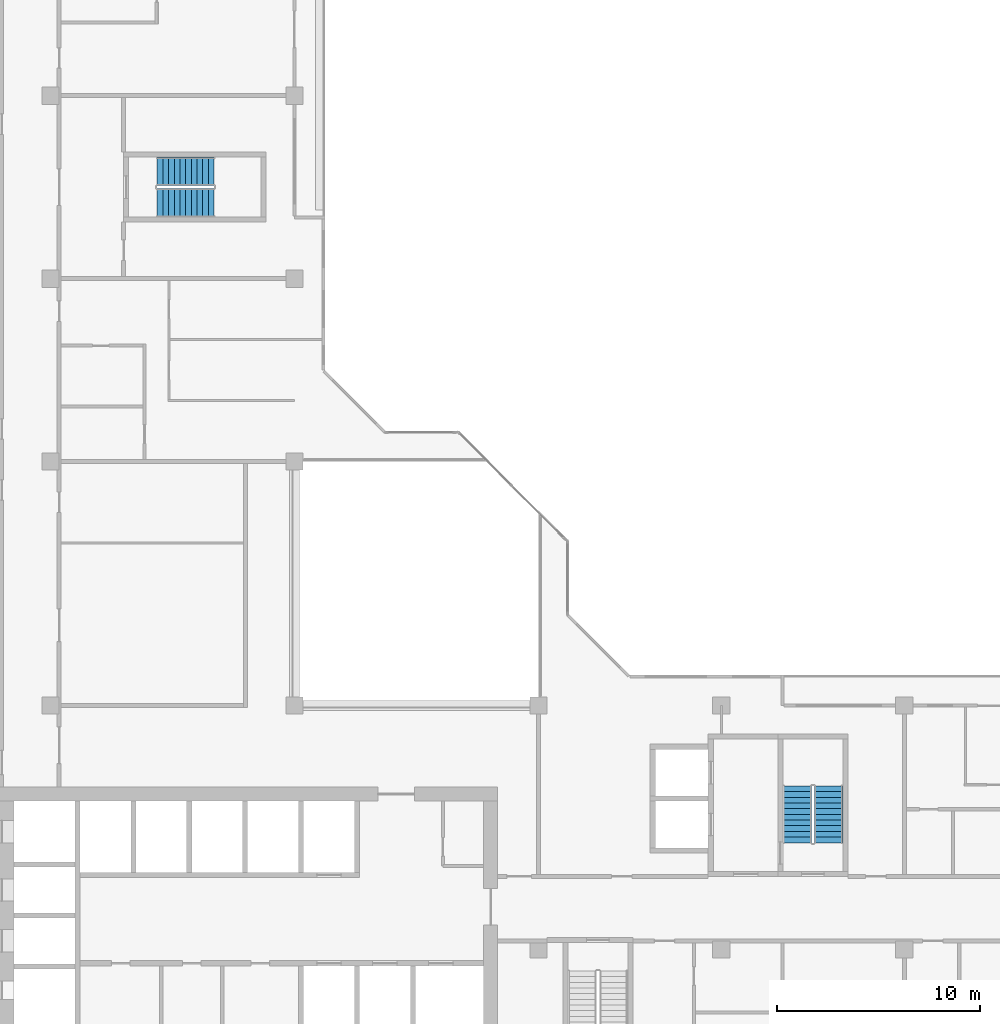
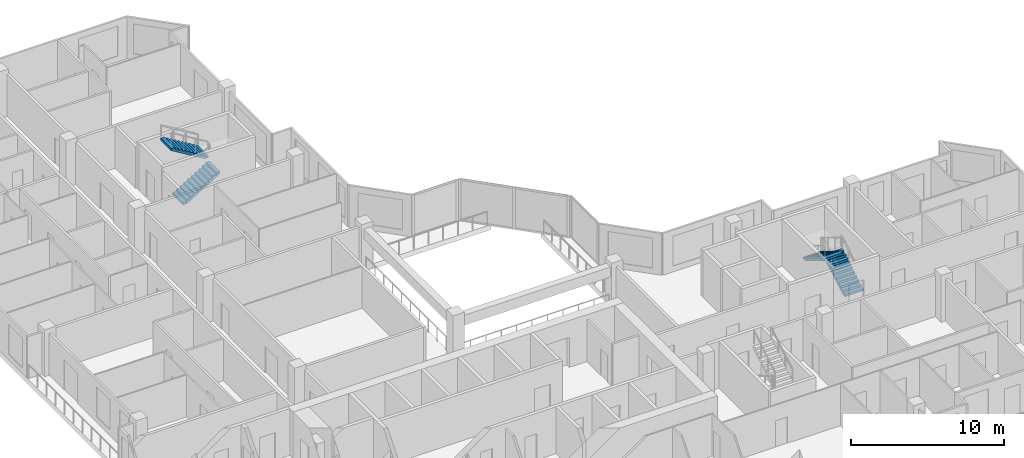
# One storey, part 14 of 16: 4 stair flights, 2 elements without a shape of their own.
"""IFC4 building model written with IfcOpenShell, lengths in metres."""

from ifc_helpers import new_model, si_unit, direction, frame, origin, place, context, subcontext, project, spatial, polyline, outline, extrude, material, type_object, element, aggregate, save


model = new_model("IFC4")

# Units and contexts
model_context = context("Model", 3, precision=1e-05, world=origin(), true_north=direction((0.0, 1.0)))
body_context = subcontext(model_context, "Body", "Model", "MODEL_VIEW")
ifc_project = project(units=[si_unit("LENGTHUNIT", "METRE"), si_unit("AREAUNIT", "SQUARE_METRE"), si_unit("VOLUMEUNIT", "CUBIC_METRE"), si_unit("PLANEANGLEUNIT", "RADIAN"), si_unit("MASSUNIT", "GRAM", prefix="KILO")], contexts=[model_context])

# Site, building, storey
site_placement = place(None, origin())
site = spatial("IfcSite", under=ifc_project, at=site_placement, CompositionType="ELEMENT")
building_placement = place(site_placement, origin())
building = spatial("IfcBuilding", under=site, at=building_placement, Name="Chenar Terraces", CompositionType="ELEMENT")
storey_placement = place(building_placement, frame((0.0, 0.0, 222.89990234375)))
storey = spatial("IfcBuildingStorey", under=building, at=storey_placement, Name="L52", CompositionType="ELEMENT", Elevation=222.89990234375)

# Stair, stair flights
ifc_material_1 = material(Name="Reinforced concrete C40/50", Category="concrete")
stair_type = type_object("IfcStairType", Name="Core stair 1400 half-turn", PredefinedType="HALF_TURN_STAIR", material=ifc_material_1)
placement = place(storey_placement, origin())
stair_1 = element("IfcStair", 1, at=placement, inside=storey, type_object=stair_type, Name="L52 Stair 3", PredefinedType="HALF_TURN_STAIR")
ifc_material_2 = material(Name="Reinforced concrete C40/50", Category="concrete")
stair_flight_type = type_object("IfcStairFlightType", Name="Core stair flight 1400", PredefinedType="STRAIGHT", material=ifc_material_2)
stair_flight_1_placement = place(storey_placement, frame((50.27490234375, 17.25, 0.0), z_axis=(0.0, 0.0, 1.0), x_axis=(0.0, 1.0, 0.0)))
stair_flight_1 = element("IfcStairFlight", 2, at=stair_flight_1_placement, type_object=stair_flight_type, Name="ST3 flight 1", NumberOfRisers=11, NumberOfTreads=10, PredefinedType="STRAIGHT", RiserHeight=0.170454545, TreadLength=0.28, context=body_context, shape_type="SweptSolid", body=[
    extrude(outline(polyline([(-0.0029296875, 0.0), (-0.0029296875, 0.17041015625), (0.0, 0.17041015625), (0.280029296875, 0.17041015625), (0.280029296875, 0.3408203125), (0.56005859375, 0.3408203125), (0.56005859375, 0.511474609375), (0.840087890625, 0.511474609375), (0.840087890625, 0.681884765625), (1.1201171875, 0.681884765625), (1.1201171875, 0.852294921875), (1.39990234375, 0.852294921875), (1.39990234375, 1.022705078125), (1.679931640625, 1.022705078125), (1.679931640625, 1.193115234375), (1.9599609375, 1.193115234375), (1.9599609375, 1.363525390625), (2.239990234375, 1.363525390625), (2.239990234375, 1.5341796875), (2.52001953125, 1.5341796875), (2.52001953125, 1.70458984375), (2.800048828125, 1.70458984375), (2.802978515625, 1.70458984375), (2.802978515625, 1.529052734375), (2.800048828125, 1.529052734375), (0.288330078125, 0.0), (-0.0029296875, 0.0)])), frame((0.0, 0.699951171875, 0.0), z_axis=(0.0, -1.0, 0.0), x_axis=(1.0, 0.0, 0.0)), (0.0, 0.0, 1.0), 1.39990234375),
])
stair_flight_2_placement = place(storey_placement, frame((48.72509765625, 20.050048828125, 1.875), z_axis=(0.0, 0.0, 1.0), x_axis=(0.0, -1.0, 0.0)))
stair_flight_2 = element("IfcStairFlight", 3, at=stair_flight_2_placement, type_object=stair_flight_type, Name="ST3 flight 2", NumberOfRisers=11, NumberOfTreads=10, PredefinedType="STRAIGHT", RiserHeight=0.170454545, TreadLength=0.28, context=body_context, shape_type="SweptSolid", body=[
    extrude(outline(polyline([(-0.0029296875, 0.0), (-0.0029296875, 0.17041015625), (0.0, 0.17041015625), (0.280029296875, 0.17041015625), (0.280029296875, 0.3408203125), (0.56005859375, 0.3408203125), (0.56005859375, 0.511474609375), (0.840087890625, 0.511474609375), (0.840087890625, 0.681884765625), (1.1201171875, 0.681884765625), (1.1201171875, 0.852294921875), (1.39990234375, 0.852294921875), (1.39990234375, 1.022705078125), (1.679931640625, 1.022705078125), (1.679931640625, 1.193115234375), (1.9599609375, 1.193115234375), (1.9599609375, 1.363525390625), (2.239990234375, 1.363525390625), (2.239990234375, 1.5341796875), (2.52001953125, 1.5341796875), (2.52001953125, 1.70458984375), (2.800048828125, 1.70458984375), (2.802978515625, 1.70458984375), (2.802978515625, 1.529052734375), (2.800048828125, 1.529052734375), (0.288330078125, 0.0), (-0.0029296875, 0.0)])), frame((0.0, 0.699951171875, 0.0), z_axis=(0.0, -1.0, 0.0), x_axis=(1.0, 0.0, 0.0)), (0.0, 0.0, 1.0), 1.39990234375),
])
aggregate(stair_1, [stair_flight_1, stair_flight_2])

stair_2 = element("IfcStair", 4, at=placement, inside=storey, type_object=stair_type, Name="L52 Stair 4", PredefinedType="HALF_TURN_STAIR")
stair_flight_3_placement = place(storey_placement, frame((17.25, 48.72509765625, 0.0), z_axis=(0.0, 0.0, 1.0), x_axis=(1.0, 0.0, 0.0)))
stair_flight_3 = element("IfcStairFlight", 5, at=stair_flight_3_placement, type_object=stair_flight_type, Name="ST4 flight 1", NumberOfRisers=11, NumberOfTreads=10, PredefinedType="STRAIGHT", RiserHeight=0.170454545, TreadLength=0.28, context=body_context, shape_type="SweptSolid", body=[
    extrude(outline(polyline([(-0.0029296875, 0.0), (-0.0029296875, 0.17041015625), (0.0, 0.17041015625), (0.280029296875, 0.17041015625), (0.280029296875, 0.3408203125), (0.56005859375, 0.3408203125), (0.56005859375, 0.511474609375), (0.840087890625, 0.511474609375), (0.840087890625, 0.681884765625), (1.1201171875, 0.681884765625), (1.1201171875, 0.852294921875), (1.39990234375, 0.852294921875), (1.39990234375, 1.022705078125), (1.679931640625, 1.022705078125), (1.679931640625, 1.193115234375), (1.9599609375, 1.193115234375), (1.9599609375, 1.363525390625), (2.239990234375, 1.363525390625), (2.239990234375, 1.5341796875), (2.52001953125, 1.5341796875), (2.52001953125, 1.70458984375), (2.800048828125, 1.70458984375), (2.802978515625, 1.70458984375), (2.802978515625, 1.529052734375), (2.800048828125, 1.529052734375), (0.288330078125, 0.0), (-0.0029296875, 0.0)])), frame((0.0, 0.699951171875, 0.0), z_axis=(0.0, -1.0, 0.0), x_axis=(1.0, 0.0, 0.0)), (0.0, 0.0, 1.0), 1.39990234375),
])
stair_flight_4_placement = place(storey_placement, frame((20.050048828125, 50.27490234375, 1.875), z_axis=(0.0, 0.0, 1.0), x_axis=(-1.0, 0.0, 0.0)))
stair_flight_4 = element("IfcStairFlight", 6, at=stair_flight_4_placement, type_object=stair_flight_type, Name="ST4 flight 2", NumberOfRisers=11, NumberOfTreads=10, PredefinedType="STRAIGHT", RiserHeight=0.170454545, TreadLength=0.28, context=body_context, shape_type="SweptSolid", body=[
    extrude(outline(polyline([(-0.0029296875, 0.0), (-0.0029296875, 0.17041015625), (0.0, 0.17041015625), (0.280029296875, 0.17041015625), (0.280029296875, 0.3408203125), (0.56005859375, 0.3408203125), (0.56005859375, 0.511474609375), (0.840087890625, 0.511474609375), (0.840087890625, 0.681884765625), (1.1201171875, 0.681884765625), (1.1201171875, 0.852294921875), (1.39990234375, 0.852294921875), (1.39990234375, 1.022705078125), (1.679931640625, 1.022705078125), (1.679931640625, 1.193115234375), (1.9599609375, 1.193115234375), (1.9599609375, 1.363525390625), (2.239990234375, 1.363525390625), (2.239990234375, 1.5341796875), (2.52001953125, 1.5341796875), (2.52001953125, 1.70458984375), (2.800048828125, 1.70458984375), (2.802978515625, 1.70458984375), (2.802978515625, 1.529052734375), (2.800048828125, 1.529052734375), (0.288330078125, 0.0), (-0.0029296875, 0.0)])), frame((0.0, 0.699951171875, 0.0), z_axis=(0.0, -1.0, 0.0), x_axis=(1.0, 0.0, 0.0)), (0.0, 0.0, 1.0), 1.39990234375),
])
aggregate(stair_2, [stair_flight_3, stair_flight_4])

save(model, "model.ifc")
